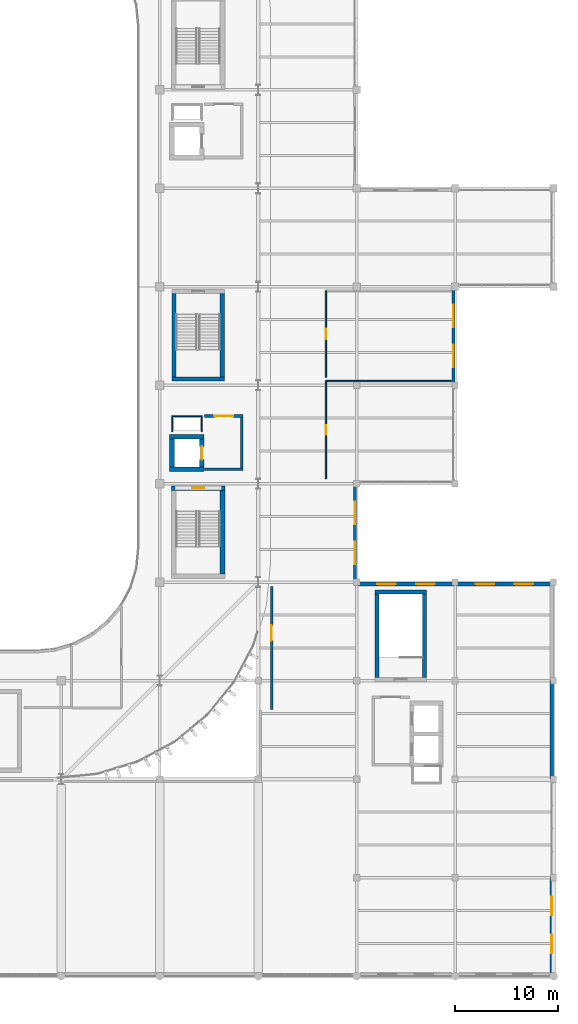
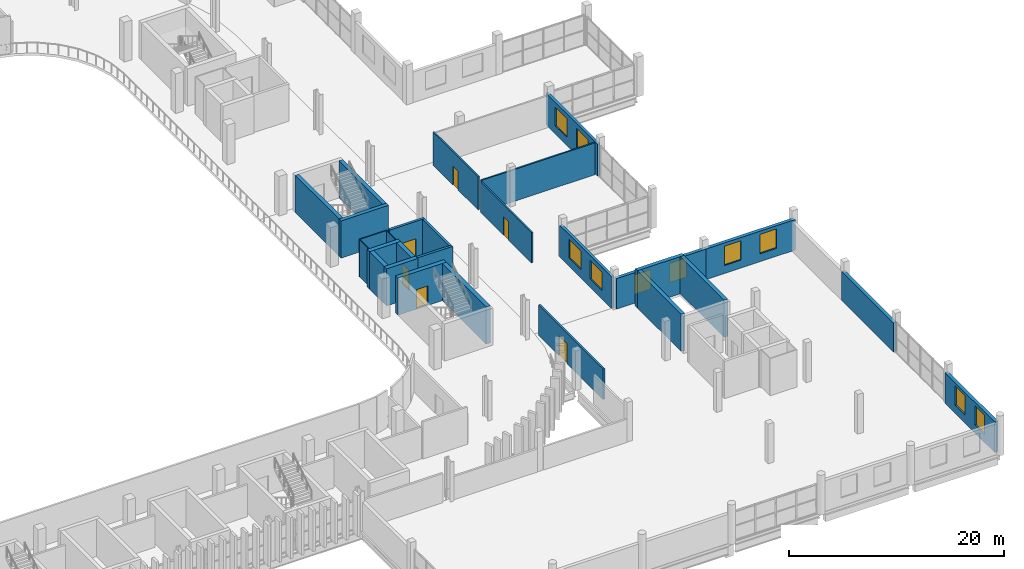
# One storey, part 61 of 92: 28 walls, 10 windows, 6 doors, 16 openings.
"""IFC4 building model written with IfcOpenShell, lengths in metres."""

from ifc_helpers import new_model, si_unit, direction, frame, frame_2d, origin, place, context, subcontext, project, spatial, rectangle, extrude, material, layer, layer_set, type_object, element, fill, save


model = new_model("IFC4")

# Units and contexts
model_context = context("Model", 3, precision=1e-05, world=origin(), true_north=direction((0.0, 1.0)))
body_context = subcontext(model_context, "Body", "Model", "MODEL_VIEW")
ifc_project = project(units=[si_unit("LENGTHUNIT", "METRE"), si_unit("AREAUNIT", "SQUARE_METRE"), si_unit("VOLUMEUNIT", "CUBIC_METRE"), si_unit("PLANEANGLEUNIT", "RADIAN"), si_unit("MASSUNIT", "GRAM", prefix="KILO")], contexts=[model_context])

# Site, building, storey
site_placement = place(None, origin())
site = spatial("IfcSite", under=ifc_project, at=site_placement, CompositionType="ELEMENT")
building_placement = place(site_placement, origin())
building = spatial("IfcBuilding", under=site, at=building_placement, Name="Caelomonte Colonnade Arena", CompositionType="ELEMENT")
storey_placement = place(building_placement, frame((0.0, 0.0, 9.60009765625)))
storey = spatial("IfcBuildingStorey", under=building, at=storey_placement, Name="L02", CompositionType="ELEMENT", Elevation=9.60009765625)

# Wall, openings, windows
ifc_material_1 = material(Name="Precast concrete C40/50", Category="concrete")
ifc_layer_1 = layer(ifc_material_1, 0.2900390625)
ifc_layer_set_1 = layer_set([ifc_layer_1], Name="Precast concrete C40/50")
wall_type_1 = type_object("IfcWallType", Name="ENV-WL-EXT29", PredefinedType="SOLIDWALL", material=ifc_layer_set_1)
wall_1_placement = place(storey_placement, frame((172.6201171875, 38.39990234375, 0.0), z_axis=(0.0, 0.0, 1.0), x_axis=(0.0, 1.0, 0.0)))
wall_1 = element("IfcWall", 1, at=wall_1_placement, inside=storey, type_object=wall_type_1, Name="L02 exterior wall EW-L02-0250", PredefinedType="SOLIDWALL", context=body_context, shape_type="SweptSolid", body=[
    extrude(rectangle(XDim=9.60009765625, YDim=0.2900390625, at=frame_2d((4.800048828125, 0.0))), origin(), (0.0, 0.0, 1.0), 3.61279296875),
])
opening_1_placement = place(wall_1_placement, frame((3.933349609375, 0.0, 0.949951171875), z_axis=(0.0, 0.0, 1.0), x_axis=(-1.0, 0.0, 0.0)))
opening_1 = element("IfcOpeningElement", 2, at=opening_1_placement, cuts=wall_1, Name="Opening WN-05", PredefinedType="OPENING", context=body_context, shape_type="SweptSolid", body=[
    extrude(rectangle(XDim=2.199951171875, YDim=2.10009765625, at=frame_2d((1.10009765625, 1.050048828125))), frame((0.0, 0.155029296875, 0.0), z_axis=(0.0, -1.0, 0.0), x_axis=(1.0, 0.0, 0.0)), (0.0, 0.0, 1.0), 0.31005859375),
])
opening_2_placement = place(wall_1_placement, frame((7.86669921875, 0.0, 0.949951171875), z_axis=(0.0, 0.0, 1.0), x_axis=(-1.0, 0.0, 0.0)))
opening_2 = element("IfcOpeningElement", 3, at=opening_2_placement, cuts=wall_1, Name="Opening WN-05", PredefinedType="OPENING", context=body_context, shape_type="SweptSolid", body=[
    extrude(rectangle(XDim=2.199951171875, YDim=2.10009765625, at=frame_2d((1.10009765625, 1.050048828125))), frame((0.0, 0.155029296875, 0.0), z_axis=(0.0, -1.0, 0.0), x_axis=(1.0, 0.0, 0.0)), (0.0, 0.0, 1.0), 0.31005859375),
])
ifc_material_2 = material(Name="Solar-control bronze low-E double glazing", Category="glass")
window_type_1 = type_object("IfcWindowType", Name="ENV-WN-V4B", PartitioningType="DOUBLE_PANEL_VERTICAL", PredefinedType="WINDOW", material=ifc_material_2)
window_1_placement = place(opening_1_placement, origin())
window_1 = element("IfcWindow", 4, at=window_1_placement, inside=storey, type_object=window_type_1, Name="L02 facade window 166", OverallHeight=2.10009765625, OverallWidth=2.199951171875, PartitioningType="SINGLE_PANEL", PredefinedType="WINDOW", context=body_context, shape_type="SweptSolid", body=[
    extrude(rectangle(XDim=2.199951171875, YDim=2.10009765625, at=frame_2d((1.10009765625, 1.050048828125))), frame((0.0, 0.030029296875, 0.0), z_axis=(0.0, -1.0, 0.0), x_axis=(1.0, 0.0, 0.0)), (0.0, 0.0, 1.0), 0.06005859375),
])
fill(opening_1, window_1)
window_2_placement = place(opening_2_placement, origin())
window_2 = element("IfcWindow", 5, at=window_2_placement, inside=storey, type_object=window_type_1, Name="L02 facade window 167", OverallHeight=2.10009765625, OverallWidth=2.199951171875, PartitioningType="SINGLE_PANEL", PredefinedType="WINDOW", context=body_context, shape_type="SweptSolid", body=[
    extrude(rectangle(XDim=2.199951171875, YDim=2.10009765625, at=frame_2d((1.10009765625, 1.050048828125))), frame((0.0, 0.030029296875, 0.0), z_axis=(0.0, -1.0, 0.0), x_axis=(1.0, 0.0, 0.0)), (0.0, 0.0, 1.0), 0.06005859375),
])
fill(opening_2, window_2)

wall_2_placement = place(storey_placement, frame((182.219970703125, 57.60009765625, 0.0), z_axis=(0.0, 0.0, 1.0), x_axis=(0.0, 1.0, 0.0)))
wall_2 = element("IfcWall", 6, at=wall_2_placement, inside=storey, type_object=wall_type_1, Name="L02 exterior wall EW-L02-0251", PredefinedType="SOLIDWALL", context=body_context, shape_type="SweptSolid", body=[
    extrude(rectangle(XDim=9.599853515625, YDim=0.2900390625, at=frame_2d((4.7998046875, 0.0))), origin(), (0.0, 0.0, 1.0), 3.61279296875),
])
opening_3_placement = place(wall_2_placement, frame((3.933349609375, 0.0, 0.949951171875), z_axis=(0.0, 0.0, 1.0), x_axis=(-1.0, 0.0, 0.0)))
opening_3 = element("IfcOpeningElement", 7, at=opening_3_placement, cuts=wall_2, Name="Opening WN-05", PredefinedType="OPENING", context=body_context, shape_type="SweptSolid", body=[
    extrude(rectangle(XDim=2.199951171875, YDim=2.10009765625, at=frame_2d((1.10009765625, 1.050048828125))), frame((0.0, 0.155029296875, 0.0), z_axis=(0.0, -1.0, 0.0), x_axis=(1.0, 0.0, 0.0)), (0.0, 0.0, 1.0), 0.31005859375),
])
opening_4_placement = place(wall_2_placement, frame((7.86669921875, 0.0, 0.949951171875), z_axis=(0.0, 0.0, 1.0), x_axis=(-1.0, 0.0, 0.0)))
opening_4 = element("IfcOpeningElement", 8, at=opening_4_placement, cuts=wall_2, Name="Opening WN-05", PredefinedType="OPENING", context=body_context, shape_type="SweptSolid", body=[
    extrude(rectangle(XDim=2.199951171875, YDim=2.10009765625, at=frame_2d((1.10009765625, 1.050048828125))), frame((0.0, 0.155029296875, 0.0), z_axis=(0.0, -1.0, 0.0), x_axis=(1.0, 0.0, 0.0)), (0.0, 0.0, 1.0), 0.31005859375),
])
window_3_placement = place(opening_3_placement, origin())
window_3 = element("IfcWindow", 9, at=window_3_placement, inside=storey, type_object=window_type_1, Name="L02 facade window 168", OverallHeight=2.10009765625, OverallWidth=2.199951171875, PartitioningType="SINGLE_PANEL", PredefinedType="WINDOW", context=body_context, shape_type="SweptSolid", body=[
    extrude(rectangle(XDim=2.199951171875, YDim=2.10009765625, at=frame_2d((1.10009765625, 1.050048828125))), frame((0.0, 0.030029296875, 0.0), z_axis=(0.0, -1.0, 0.0), x_axis=(1.0, 0.0, 0.0)), (0.0, 0.0, 1.0), 0.06005859375),
])
fill(opening_3, window_3)
window_4_placement = place(opening_4_placement, origin())
window_4 = element("IfcWindow", 10, at=window_4_placement, inside=storey, type_object=window_type_1, Name="L02 facade window 169", OverallHeight=2.10009765625, OverallWidth=2.199951171875, PartitioningType="SINGLE_PANEL", PredefinedType="WINDOW", context=body_context, shape_type="SweptSolid", body=[
    extrude(rectangle(XDim=2.199951171875, YDim=2.10009765625, at=frame_2d((1.10009765625, 1.050048828125))), frame((0.0, 0.030029296875, 0.0), z_axis=(0.0, -1.0, 0.0), x_axis=(1.0, 0.0, 0.0)), (0.0, 0.0, 1.0), 0.06005859375),
])
fill(opening_4, window_4)

ifc_layer_2 = layer(ifc_material_1, 0.360107421875)
ifc_layer_set_2 = layer_set([ifc_layer_2], Name="Precast concrete C40/50")
wall_type_2 = type_object("IfcWallType", Name="ENV-WL-EXT36", PredefinedType="SOLIDWALL", material=ifc_layer_set_2)
wall_3_placement = place(storey_placement, frame((191.820068359375, 0.35498046875, 0.0), z_axis=(0.0, 0.0, 1.0), x_axis=(0.0, 1.0, 0.0)))
wall_3 = element("IfcWall", 11, at=wall_3_placement, inside=storey, type_object=wall_type_2, Name="L02 exterior wall EW-L02-0245", PredefinedType="SOLIDWALL", context=body_context, shape_type="SweptSolid", body=[
    extrude(rectangle(XDim=9.2451171875, YDim=0.360107421875, at=frame_2d((4.62255859375, 0.0))), origin(), (0.0, 0.0, 1.0), 3.469970703125),
])
opening_5_placement = place(wall_3_placement, frame((3.681640625, 0.0, 0.89990234375), z_axis=(0.0, 0.0, 1.0), x_axis=(-1.0, 0.0, 0.0)))
opening_5 = element("IfcOpeningElement", 12, at=opening_5_placement, cuts=wall_3, Name="Opening WN-03", PredefinedType="OPENING", context=body_context, shape_type="SweptSolid", body=[
    extrude(rectangle(XDim=1.800048828125, YDim=2.199951171875, at=frame_2d((0.89990234375, 1.10009765625))), frame((0.0, 0.18994140625, 0.0), z_axis=(0.0, -1.0, 0.0), x_axis=(1.0, 0.0, 0.0)), (0.0, 0.0, 1.0), 0.380126953125),
])
opening_6_placement = place(wall_3_placement, frame((7.36328125, 0.0, 0.89990234375), z_axis=(0.0, 0.0, 1.0), x_axis=(-1.0, 0.0, 0.0)))
opening_6 = element("IfcOpeningElement", 13, at=opening_6_placement, cuts=wall_3, Name="Opening WN-03", PredefinedType="OPENING", context=body_context, shape_type="SweptSolid", body=[
    extrude(rectangle(XDim=1.800048828125, YDim=2.199951171875, at=frame_2d((0.89990234375, 1.10009765625))), frame((0.0, 0.18994140625, 0.0), z_axis=(0.0, -1.0, 0.0), x_axis=(1.0, 0.0, 0.0)), (0.0, 0.0, 1.0), 0.380126953125),
])
window_type_2 = type_object("IfcWindowType", Name="ENV-WN-V3C", PartitioningType="DOUBLE_PANEL_VERTICAL", PredefinedType="WINDOW", material=ifc_material_2)
window_5_placement = place(opening_5_placement, origin())
window_5 = element("IfcWindow", 14, at=window_5_placement, inside=storey, type_object=window_type_2, Name="L02 facade window 160", OverallHeight=2.199951171875, OverallWidth=1.800048828125, PartitioningType="SINGLE_PANEL", PredefinedType="WINDOW", context=body_context, shape_type="SweptSolid", body=[
    extrude(rectangle(XDim=1.800048828125, YDim=2.199951171875, at=frame_2d((0.89990234375, 1.10009765625))), frame((0.0, 0.030029296875, 0.0), z_axis=(0.0, -1.0, 0.0), x_axis=(1.0, 0.0, 0.0)), (0.0, 0.0, 1.0), 0.06005859375),
])
fill(opening_5, window_5)
window_6_placement = place(opening_6_placement, origin())
window_6 = element("IfcWindow", 15, at=window_6_placement, inside=storey, type_object=window_type_2, Name="L02 facade window 161", OverallHeight=2.199951171875, OverallWidth=1.800048828125, PartitioningType="SINGLE_PANEL", PredefinedType="WINDOW", context=body_context, shape_type="SweptSolid", body=[
    extrude(rectangle(XDim=1.800048828125, YDim=2.199951171875, at=frame_2d((0.89990234375, 1.10009765625))), frame((0.0, 0.030029296875, 0.0), z_axis=(0.0, -1.0, 0.0), x_axis=(1.0, 0.0, 0.0)), (0.0, 0.0, 1.0), 0.06005859375),
])
fill(opening_6, window_6)

# Wall
wall_4_placement = place(storey_placement, frame((191.820068359375, 19.199951171875, 0.0), z_axis=(0.0, 0.0, 1.0), x_axis=(0.0, 1.0, 0.0)))
element("IfcWall", 16, at=wall_4_placement, inside=storey, type_object=wall_type_2, Name="L02 exterior wall EW-L02-0246", PredefinedType="SOLIDWALL", context=body_context, shape_type="SweptSolid", body=[
    extrude(rectangle(XDim=9.60009765625, YDim=0.360107421875, at=frame_2d((4.800048828125, 0.0))), origin(), (0.0, 0.0, 1.0), 3.29296875),
])

# Wall, openings, windows
wall_5_placement = place(storey_placement, frame((192.0, 38.219970703125, 0.0), z_axis=(0.0, 0.0, 1.0), x_axis=(-1.0, 0.0, 0.0)))
wall_5 = element("IfcWall", 17, at=wall_5_placement, inside=storey, type_object=wall_type_2, Name="L02 exterior wall EW-L02-0248", PredefinedType="SOLIDWALL", context=body_context, shape_type="SweptSolid", body=[
    extrude(rectangle(XDim=9.60009765625, YDim=0.360107421875, at=frame_2d((4.800048828125, 0.0))), origin(), (0.0, 0.0, 1.0), 3.465576171875),
])
opening_7_placement = place(wall_5_placement, frame((3.800048828125, 0.0, 0.89990234375), z_axis=(0.0, 0.0, 1.0), x_axis=(-1.0, 0.0, 0.0)))
opening_7 = element("IfcOpeningElement", 18, at=opening_7_placement, cuts=wall_5, Name="Opening WN-03", PredefinedType="OPENING", context=body_context, shape_type="SweptSolid", body=[
    extrude(rectangle(XDim=1.800048828125, YDim=2.199951171875, at=frame_2d((0.89990234375, 1.10009765625))), frame((0.0, 0.18994140625, 0.0), z_axis=(0.0, -1.0, 0.0), x_axis=(1.0, 0.0, 0.0)), (0.0, 0.0, 1.0), 0.380126953125),
])
opening_8_placement = place(wall_5_placement, frame((7.60009765625, 0.0, 0.89990234375), z_axis=(0.0, 0.0, 1.0), x_axis=(-1.0, 0.0, 0.0)))
opening_8 = element("IfcOpeningElement", 19, at=opening_8_placement, cuts=wall_5, Name="Opening WN-03", PredefinedType="OPENING", context=body_context, shape_type="SweptSolid", body=[
    extrude(rectangle(XDim=1.800048828125, YDim=2.199951171875, at=frame_2d((0.89990234375, 1.10009765625))), frame((0.0, 0.18994140625, 0.0), z_axis=(0.0, -1.0, 0.0), x_axis=(1.0, 0.0, 0.0)), (0.0, 0.0, 1.0), 0.380126953125),
])
window_7_placement = place(opening_7_placement, origin())
window_7 = element("IfcWindow", 20, at=window_7_placement, inside=storey, type_object=window_type_2, Name="L02 facade window 162", OverallHeight=2.199951171875, OverallWidth=1.800048828125, PartitioningType="SINGLE_PANEL", PredefinedType="WINDOW", context=body_context, shape_type="SweptSolid", body=[
    extrude(rectangle(XDim=1.800048828125, YDim=2.199951171875, at=frame_2d((0.89990234375, 1.10009765625))), frame((0.0, 0.030029296875, 0.0), z_axis=(0.0, -1.0, 0.0), x_axis=(1.0, 0.0, 0.0)), (0.0, 0.0, 1.0), 0.06005859375),
])
fill(opening_7, window_7)
window_8_placement = place(opening_8_placement, origin())
window_8 = element("IfcWindow", 21, at=window_8_placement, inside=storey, type_object=window_type_2, Name="L02 facade window 163", OverallHeight=2.199951171875, OverallWidth=1.800048828125, PartitioningType="SINGLE_PANEL", PredefinedType="WINDOW", context=body_context, shape_type="SweptSolid", body=[
    extrude(rectangle(XDim=1.800048828125, YDim=2.199951171875, at=frame_2d((0.89990234375, 1.10009765625))), frame((0.0, 0.030029296875, 0.0), z_axis=(0.0, -1.0, 0.0), x_axis=(1.0, 0.0, 0.0)), (0.0, 0.0, 1.0), 0.06005859375),
])
fill(opening_8, window_8)

wall_6_placement = place(storey_placement, frame((182.39990234375, 38.219970703125, 0.0), z_axis=(0.0, 0.0, 1.0), x_axis=(-1.0, 0.0, 0.0)))
wall_6 = element("IfcWall", 22, at=wall_6_placement, inside=storey, type_object=wall_type_2, Name="L02 exterior wall EW-L02-0249", PredefinedType="SOLIDWALL", context=body_context, shape_type="SweptSolid", body=[
    extrude(rectangle(XDim=9.599853515625, YDim=0.360107421875, at=frame_2d((4.7998046875, 0.0))), origin(), (0.0, 0.0, 1.0), 3.465576171875),
])
opening_9_placement = place(wall_6_placement, frame((3.800048828125, 0.0, 0.89990234375), z_axis=(0.0, 0.0, 1.0), x_axis=(-1.0, 0.0, 0.0)))
opening_9 = element("IfcOpeningElement", 23, at=opening_9_placement, cuts=wall_6, Name="Opening WN-03", PredefinedType="OPENING", context=body_context, shape_type="SweptSolid", body=[
    extrude(rectangle(XDim=1.800048828125, YDim=2.199951171875, at=frame_2d((0.89990234375, 1.10009765625))), frame((0.0, 0.18994140625, 0.0), z_axis=(0.0, -1.0, 0.0), x_axis=(1.0, 0.0, 0.0)), (0.0, 0.0, 1.0), 0.380126953125),
])
opening_10_placement = place(wall_6_placement, frame((7.60009765625, 0.0, 0.89990234375), z_axis=(0.0, 0.0, 1.0), x_axis=(-1.0, 0.0, 0.0)))
opening_10 = element("IfcOpeningElement", 24, at=opening_10_placement, cuts=wall_6, Name="Opening WN-03", PredefinedType="OPENING", context=body_context, shape_type="SweptSolid", body=[
    extrude(rectangle(XDim=1.800048828125, YDim=2.199951171875, at=frame_2d((0.89990234375, 1.10009765625))), frame((0.0, 0.18994140625, 0.0), z_axis=(0.0, -1.0, 0.0), x_axis=(1.0, 0.0, 0.0)), (0.0, 0.0, 1.0), 0.380126953125),
])
window_9_placement = place(opening_9_placement, origin())
window_9 = element("IfcWindow", 25, at=window_9_placement, inside=storey, type_object=window_type_2, Name="L02 facade window 164", OverallHeight=2.199951171875, OverallWidth=1.800048828125, PartitioningType="SINGLE_PANEL", PredefinedType="WINDOW", context=body_context, shape_type="SweptSolid", body=[
    extrude(rectangle(XDim=1.800048828125, YDim=2.199951171875, at=frame_2d((0.89990234375, 1.10009765625))), frame((0.0, 0.030029296875, 0.0), z_axis=(0.0, -1.0, 0.0), x_axis=(1.0, 0.0, 0.0)), (0.0, 0.0, 1.0), 0.06005859375),
])
fill(opening_9, window_9)
window_10_placement = place(opening_10_placement, origin())
window_10 = element("IfcWindow", 26, at=window_10_placement, inside=storey, type_object=window_type_2, Name="L02 facade window 165", OverallHeight=2.199951171875, OverallWidth=1.800048828125, PartitioningType="SINGLE_PANEL", PredefinedType="WINDOW", context=body_context, shape_type="SweptSolid", body=[
    extrude(rectangle(XDim=1.800048828125, YDim=2.199951171875, at=frame_2d((0.89990234375, 1.10009765625))), frame((0.0, 0.030029296875, 0.0), z_axis=(0.0, -1.0, 0.0), x_axis=(1.0, 0.0, 0.0)), (0.0, 0.0, 1.0), 0.06005859375),
])
fill(opening_10, window_10)

# Wall
ifc_material_3 = material(Name="Concrete C40/50", Category="concrete")
ifc_layer_3 = layer(ifc_material_3, 0.260009765625)
ifc_layer_set_3 = layer_set([ifc_layer_3], Name="Concrete C40/50")
wall_type_3 = type_object("IfcWallType", Name="INT-WL-FW26", PredefinedType="SOLIDWALL", material=ifc_layer_set_3)
wall_7_placement = place(storey_placement, frame((157.969970703125, 49.39990234375, 0.0), z_axis=(0.0, 0.0, 1.0), x_axis=(1.0, 0.0, 0.0)))
element("IfcWall", 27, at=wall_7_placement, inside=storey, type_object=wall_type_3, Name="FW-C2-LB L02 south enclosure wall", PredefinedType="SOLIDWALL", context=body_context, shape_type="SweptSolid", body=[
    extrude(rectangle(XDim=3.760009765625, YDim=0.260009765625, at=frame_2d((1.8798828125, 0.0))), origin(), (0.0, 0.0, 1.0), 4.219970703125),
])

# Wall, opening, door
wall_8_placement = place(storey_placement, frame((161.72998046875, 54.60009765625, 0.0), z_axis=(0.0, 0.0, 1.0), x_axis=(-1.0, 0.0, 0.0)))
wall_8 = element("IfcWall", 28, at=wall_8_placement, inside=storey, type_object=wall_type_3, Name="FW-C2-LB L02 north enclosure wall", PredefinedType="SOLIDWALL", context=body_context, shape_type="SweptSolid", body=[
    extrude(rectangle(XDim=3.760009765625, YDim=0.260009765625, at=frame_2d((1.8798828125, 0.0))), origin(), (0.0, 0.0, 1.0), 4.219970703125),
])
opening_11_placement = place(wall_8_placement, frame((2.80517578125, 0.0, 0.0), z_axis=(0.0, 0.0, 1.0), x_axis=(-1.0, 0.0, 0.0)))
opening_11 = element("IfcOpeningElement", 29, at=opening_11_placement, cuts=wall_8, Name="Opening FD-2", PredefinedType="OPENING", context=body_context, shape_type="SweptSolid", body=[
    extrude(rectangle(XDim=1.85009765625, YDim=2.25, at=frame_2d((0.925048828125, 1.125))), frame((0.0, 0.139892578125, 0.0), z_axis=(0.0, -1.0, 0.0), x_axis=(1.0, 0.0, 0.0)), (0.0, 0.0, 1.0), 0.280029296875),
])
ifc_material_4 = material(Name="Fire-rated double steel door", Category="steel")
door_type_1 = type_object("IfcDoorType", Name="INT-DR-FD90B", OperationType="DOUBLE_DOOR_SINGLE_SWING", PredefinedType="DOOR", material=ifc_material_4)
door_1_placement = place(opening_11_placement, origin())
door_1 = element("IfcDoor", 30, at=door_1_placement, inside=storey, type_object=door_type_1, Name="Core C2 L02 lobby fire door", OperationType="DOUBLE_DOOR_SINGLE_SWING", OverallHeight=2.25, OverallWidth=1.85009765625, PredefinedType="DOOR", context=body_context, shape_type="SweptSolid", body=[
    extrude(rectangle(XDim=1.85009765625, YDim=2.25, at=frame_2d((0.925048828125, 1.125))), frame((0.0, 0.02490234375, 0.0), z_axis=(0.0, -1.0, 0.0), x_axis=(1.0, 0.0, 0.0)), (0.0, 0.0, 1.0), 0.050048828125),
])
fill(opening_11, door_1)

# Walls
wall_9_placement = place(storey_placement, frame((161.60009765625, 49.530029296875, 0.0), z_axis=(0.0, 0.0, 1.0), x_axis=(0.0, 1.0, 0.0)))
element("IfcWall", 31, at=wall_9_placement, inside=storey, type_object=wall_type_3, Name="FW-C2-LB L02 east enclosure wall", PredefinedType="SOLIDWALL", context=body_context, shape_type="SweptSolid", body=[
    extrude(rectangle(XDim=4.93994140625, YDim=0.260009765625, at=frame_2d((2.469970703125, 0.0))), origin(), (0.0, 0.0, 1.0), 4.219970703125),
])
ifc_material_5 = material(Name="Service shaft lining partition")
ifc_layer_4 = layer(ifc_material_5, 0.10009765625)
ifc_layer_set_4 = layer_set([ifc_layer_4], Name="Service shaft lining partition")
wall_type_4 = type_object("IfcWallType", Name="INT-WL-PT10", PredefinedType="PARTITIONING", material=ifc_layer_set_4)
wall_10_placement = place(storey_placement, frame((157.75, 54.60009765625, 0.0), z_axis=(0.0, 0.0, 1.0), x_axis=(-1.0, 0.0, 0.0)))
element("IfcWall", 32, at=wall_10_placement, inside=storey, type_object=wall_type_4, Name="FW-C2-RS L02 north enclosure wall", PredefinedType="PARTITIONING", context=body_context, shape_type="SweptSolid", body=[
    extrude(rectangle(XDim=3.0, YDim=0.10009765625, at=frame_2d((1.5, 0.0))), origin(), (0.0, 0.0, 1.0), 4.219970703125),
])
for number, where, z_axis, x_axis, name in (
    (33, (154.800048828125, 54.550048828125, 0.0), (0.0, 0.0, 1.0), (0.0, -1.0, 0.0), "FW-C2-RS L02 west enclosure wall"),
    (34, (157.699951171875, 53.050048828125, 0.0), (0.0, 0.0, 1.0), (0.0, 1.0, 0.0), "FW-C2-RS L02 east enclosure wall"),
):
    element("IfcWall", number, at=place(storey_placement, frame(where, z_axis=z_axis, x_axis=x_axis)), inside=storey, type_object=wall_type_4, Name=name, PredefinedType="PARTITIONING", context=body_context, shape_type="SweptSolid", body=[
        extrude(rectangle(XDim=1.5, YDim=0.10009765625, at=frame_2d((0.75, 0.0))), origin(), (0.0, 0.0, 1.0), 4.219970703125),
    ])
ifc_material_6 = material(Name="Moisture-resistant WC partition")
ifc_layer_5 = layer(ifc_material_6, 0.159912109375)
ifc_layer_set_5 = layer_set([ifc_layer_5], Name="Moisture-resistant WC partition")
wall_type_5 = type_object("IfcWallType", Name="INT-WL-PT16", PredefinedType="PARTITIONING", material=ifc_layer_set_5)
wall_11_placement = place(storey_placement, frame((169.800048828125, 58.0, 0.0), z_axis=(0.0, 0.0, 1.0), x_axis=(1.0, 0.0, 0.0)))
element("IfcWall", 35, at=wall_11_placement, inside=storey, type_object=wall_type_5, Name="L02 Club Level Restroom partition 192", PredefinedType="PARTITIONING", context=body_context, shape_type="SweptSolid", body=[
    extrude(rectangle(XDim=12.199951171875, YDim=0.159912109375, at=frame_2d((6.10009765625, 0.0))), origin(), (0.0, 0.0, 1.0), 3.61279296875),
])

# Wall, opening, door
wall_12_placement = place(storey_placement, frame((169.800048828125, 48.5, 0.0), z_axis=(0.0, 0.0, 1.0), x_axis=(0.0, 1.0, 0.0)))
wall_12 = element("IfcWall", 36, at=wall_12_placement, inside=storey, type_object=wall_type_5, Name="L02 Club Level Restroom partition 193", PredefinedType="PARTITIONING", context=body_context, shape_type="SweptSolid", body=[
    extrude(rectangle(XDim=9.5, YDim=0.159912109375, at=frame_2d((4.75, 0.0))), origin(), (0.0, 0.0, 1.0), 3.465576171875),
])
opening_12_placement = place(wall_12_placement, frame((4.2900390625, 0.0, 0.0), z_axis=(0.0, 0.0, 1.0), x_axis=(1.0, 0.0, 0.0)))
opening_12 = element("IfcOpeningElement", 37, at=opening_12_placement, cuts=wall_12, Name="Opening D-L02-056", PredefinedType="OPENING", context=body_context, shape_type="SweptSolid", body=[
    extrude(rectangle(XDim=0.919921875, YDim=2.1201171875, at=frame_2d((0.4599609375, 1.06005859375))), frame((0.0, 0.08984375, 0.0), z_axis=(0.0, -1.0, 0.0), x_axis=(1.0, 0.0, 0.0)), (0.0, 0.0, 1.0), 0.179931640625),
])
ifc_material_7 = material(Name="Laminate restroom entrance door")
door_type_2 = type_object("IfcDoorType", Name="INT-DR-WC1", OperationType="NOTDEFINED", PredefinedType="DOOR", material=ifc_material_7)
door_2_placement = place(opening_12_placement, origin())
door_2 = element("IfcDoor", 38, at=door_2_placement, inside=storey, type_object=door_type_2, Name="L02 Club Level Restroom door D-L02-056", OperationType="SINGLE_SWING_LEFT", OverallHeight=2.1201171875, OverallWidth=0.919921875, PredefinedType="DOOR", context=body_context, shape_type="SweptSolid", body=[
    extrude(rectangle(XDim=0.919921875, YDim=2.1201171875, at=frame_2d((0.4599609375, 1.06005859375))), frame((0.0, 0.02490234375, 0.0), z_axis=(0.0, -1.0, 0.0), x_axis=(1.0, 0.0, 0.0)), (0.0, 0.0, 1.0), 0.050048828125),
])
fill(opening_12, door_2)

wall_13_placement = place(storey_placement, frame((169.800048828125, 58.39990234375, 0.0), z_axis=(0.0, 0.0, 1.0), x_axis=(0.0, 1.0, 0.0)))
wall_13 = element("IfcWall", 39, at=wall_13_placement, inside=storey, type_object=wall_type_5, Name="L02 Club Level Accessible WC partition 195", PredefinedType="PARTITIONING", context=body_context, shape_type="SweptSolid", body=[
    extrude(rectangle(XDim=8.400146484375, YDim=0.159912109375, at=frame_2d((4.2001953125, 0.0))), origin(), (0.0, 0.0, 1.0), 3.765380859375),
])
opening_13_placement = place(wall_13_placement, frame((3.68994140625, 0.0, 0.0), z_axis=(0.0, 0.0, 1.0), x_axis=(1.0, 0.0, 0.0)))
opening_13 = element("IfcOpeningElement", 40, at=opening_13_placement, cuts=wall_13, Name="Opening D-L02-057", PredefinedType="OPENING", context=body_context, shape_type="SweptSolid", body=[
    extrude(rectangle(XDim=1.02001953125, YDim=2.14990234375, at=frame_2d((0.510009765625, 1.074951171875))), frame((0.0, 0.08984375, 0.0), z_axis=(0.0, -1.0, 0.0), x_axis=(1.0, 0.0, 0.0)), (0.0, 0.0, 1.0), 0.179931640625),
])
ifc_material_8 = material(Name="Accessible WC outward-swing door")
door_type_3 = type_object("IfcDoorType", Name="INT-DR-AWC", OperationType="NOTDEFINED", PredefinedType="DOOR", material=ifc_material_8)
door_3_placement = place(opening_13_placement, origin())
door_3 = element("IfcDoor", 41, at=door_3_placement, inside=storey, type_object=door_type_3, Name="L02 Club Level Accessible WC door D-L02-057", OperationType="SINGLE_SWING_RIGHT", OverallHeight=2.14990234375, OverallWidth=1.02001953125, PredefinedType="DOOR", context=body_context, shape_type="SweptSolid", body=[
    extrude(rectangle(XDim=1.02001953125, YDim=2.14990234375, at=frame_2d((0.510009765625, 1.074951171875))), frame((0.0, 0.02490234375, 0.0), z_axis=(0.0, -1.0, 0.0), x_axis=(1.0, 0.0, 0.0)), (0.0, 0.0, 1.0), 0.050048828125),
])
fill(opening_13, door_3)

ifc_material_9 = material(Name="Fire-rated gypsum stud partition")
ifc_layer_6 = layer(ifc_material_9, 0.199951171875)
ifc_layer_set_6 = layer_set([ifc_layer_6], Name="Fire-rated gypsum stud partition")
wall_type_6 = type_object("IfcWallType", Name="INT-WL-PT20", PredefinedType="PARTITIONING", material=ifc_layer_set_6)
wall_14_placement = place(storey_placement, frame((164.52001953125, 26.0, 0.0), z_axis=(0.0, 0.0, 1.0), x_axis=(0.0, 1.0, 0.0)))
wall_14 = element("IfcWall", 42, at=wall_14_placement, inside=storey, type_object=wall_type_6, Name="L02 Exhibition Hall partition 178", PredefinedType="PARTITIONING", context=body_context, shape_type="SweptSolid", body=[
    extrude(rectangle(XDim=12.0, YDim=0.199951171875, at=frame_2d((6.0, 0.0))), origin(), (0.0, 0.0, 1.0), 3.465576171875),
])
opening_14_placement = place(wall_14_placement, frame((6.703369140625, 0.0, 0.0), z_axis=(0.0, 0.0, 1.0), x_axis=(1.0, 0.0, 0.0)))
opening_14 = element("IfcOpeningElement", 43, at=opening_14_placement, cuts=wall_14, Name="Opening D-L02-051", PredefinedType="OPENING", context=body_context, shape_type="SweptSolid", body=[
    extrude(rectangle(XDim=1.5, YDim=2.25, at=frame_2d((0.75, 1.125))), frame((0.0, 0.10986328125, 0.0), z_axis=(0.0, -1.0, 0.0), x_axis=(1.0, 0.0, 0.0)), (0.0, 0.0, 1.0), 0.219970703125),
])
ifc_material_10 = material(Name="Hardwood double club lounge door", Category="wood")
door_type_4 = type_object("IfcDoorType", Name="INT-DR-SU2", OperationType="DOUBLE_DOOR_SINGLE_SWING", PredefinedType="DOOR", material=ifc_material_10)
door_4_placement = place(opening_14_placement, origin())
door_4 = element("IfcDoor", 44, at=door_4_placement, inside=storey, type_object=door_type_4, Name="L02 Exhibition Hall door D-L02-051", OperationType="DOUBLE_DOOR_SINGLE_SWING", OverallHeight=2.25, OverallWidth=1.5, PredefinedType="DOOR", context=body_context, shape_type="SweptSolid", body=[
    extrude(rectangle(XDim=1.5, YDim=2.25, at=frame_2d((0.75, 1.125))), frame((0.0, 0.02490234375, 0.0), z_axis=(0.0, -1.0, 0.0), x_axis=(1.0, 0.0, 0.0)), (0.0, 0.0, 1.0), 0.050048828125),
])
fill(opening_14, door_4)

# Walls
ifc_material_11 = material(Name="Concrete C50/60", Category="concrete")
ifc_layer_7 = layer(ifc_material_11, 0.39990234375)
ifc_layer_set_7 = layer_set([ifc_layer_7], Name="Concrete C50/60")
wall_type_7 = type_object("IfcWallType", Name="INT-WL-SH40", PredefinedType="SHEAR", material=ifc_layer_set_7)
wall_15_placement = place(storey_placement, frame((179.60009765625, 37.449951171875, 0.0), z_axis=(0.0, 0.0, 1.0), x_axis=(-1.0, 0.0, 0.0)))
element("IfcWall", 45, at=wall_15_placement, inside=storey, type_object=wall_type_7, Name="CW-C5-ST L02 north enclosure wall", PredefinedType="SHEAR", context=body_context, shape_type="SweptSolid", body=[
    extrude(rectangle(XDim=5.0, YDim=0.39990234375, at=frame_2d((2.5, 0.0))), origin(), (0.0, 0.0, 1.0), 4.219970703125),
])
for number, where, z_axis, x_axis, name in (
    (46, (174.800048828125, 37.25, 0.0), (0.0, 0.0, 1.0), (0.0, -1.0, 0.0), "CW-C5-ST L02 west enclosure wall"),
    (47, (179.39990234375, 29.10009765625, 0.0), (0.0, 0.0, 1.0), (0.0, 1.0, 0.0), "CW-C5-ST L02 east enclosure wall"),
):
    element("IfcWall", number, at=place(storey_placement, frame(where, z_axis=z_axis, x_axis=x_axis)), inside=storey, type_object=wall_type_7, Name=name, PredefinedType="SHEAR", context=body_context, shape_type="SweptSolid", body=[
        extrude(rectangle(XDim=8.14990234375, YDim=0.39990234375, at=frame_2d((4.074951171875, 0.0))), origin(), (0.0, 0.0, 1.0), 4.219970703125),
    ])
wall_16_placement = place(storey_placement, frame((154.800048828125, 58.199951171875, 0.0), z_axis=(0.0, 0.0, 1.0), x_axis=(1.0, 0.0, 0.0)))
element("IfcWall", 48, at=wall_16_placement, inside=storey, type_object=wall_type_7, Name="CW-ST-10 L02 south enclosure wall", PredefinedType="SHEAR", context=body_context, shape_type="SweptSolid", body=[
    extrude(rectangle(XDim=5.099853515625, YDim=0.39990234375, at=frame_2d((2.5498046875, 0.0))), origin(), (0.0, 0.0, 1.0), 4.219970703125),
])
for number, where, z_axis, x_axis, name in (
    (49, (155.0, 66.550048828125, 0.0), (0.0, 0.0, 1.0), (0.0, -1.0, 0.0), "CW-ST-10 L02 west enclosure wall"),
    (50, (159.699951171875, 58.39990234375, 0.0), (0.0, 0.0, 1.0), (0.0, 1.0, 0.0), "CW-ST-10 L02 east enclosure wall"),
):
    element("IfcWall", number, at=place(storey_placement, frame(where, z_axis=z_axis, x_axis=x_axis)), inside=storey, type_object=wall_type_7, Name=name, PredefinedType="SHEAR", context=body_context, shape_type="SweptSolid", body=[
        extrude(rectangle(XDim=8.150146484375, YDim=0.39990234375, at=frame_2d((4.0751953125, 0.0))), origin(), (0.0, 0.0, 1.0), 4.219970703125),
    ])

# Wall, opening, door
ifc_layer_8 = layer(ifc_material_11, 0.449951171875)
ifc_layer_set_8 = layer_set([ifc_layer_8], Name="Concrete C50/60")
wall_type_8 = type_object("IfcWallType", Name="INT-WL-SH45", PredefinedType="SHEAR", material=ifc_layer_set_8)
wall_17_placement = place(storey_placement, frame((159.949951171875, 47.574951171875, 0.0), z_axis=(0.0, 0.0, 1.0), x_axis=(-1.0, 0.0, 0.0)))
wall_17 = element("IfcWall", 51, at=wall_17_placement, inside=storey, type_object=wall_type_8, Name="CW-C2-ST L02 north enclosure wall", PredefinedType="SHEAR", context=body_context, shape_type="SweptSolid", body=[
    extrude(rectangle(XDim=5.199951171875, YDim=0.449951171875, at=frame_2d((2.60009765625, 0.0))), origin(), (0.0, 0.0, 1.0), 4.219970703125),
])
opening_15_placement = place(wall_17_placement, frame((3.199951171875, 0.0, 0.0), z_axis=(0.0, 0.0, 1.0), x_axis=(-1.0, 0.0, 0.0)))
opening_15 = element("IfcOpeningElement", 52, at=opening_15_placement, cuts=wall_17, Name="Opening FD-1", PredefinedType="OPENING", context=body_context, shape_type="SweptSolid", body=[
    extrude(rectangle(XDim=1.199951171875, YDim=2.199951171875, at=frame_2d((0.60009765625, 1.10009765625))), frame((0.0, 0.23486328125, 0.0), z_axis=(0.0, -1.0, 0.0), x_axis=(1.0, 0.0, 0.0)), (0.0, 0.0, 1.0), 0.469970703125),
])
ifc_material_12 = material(Name="Fire-rated steel door", Category="steel")
door_type_5 = type_object("IfcDoorType", Name="INT-DR-FD90A", OperationType="NOTDEFINED", PredefinedType="DOOR", material=ifc_material_12)
door_5_placement = place(opening_15_placement, origin())
door_5 = element("IfcDoor", 53, at=door_5_placement, inside=storey, type_object=door_type_5, Name="Core C2 L02 exit stair fire door", OperationType="SINGLE_SWING_LEFT", OverallHeight=2.199951171875, OverallWidth=1.199951171875, PredefinedType="DOOR", context=body_context, shape_type="SweptSolid", body=[
    extrude(rectangle(XDim=1.199951171875, YDim=2.199951171875, at=frame_2d((0.60009765625, 1.10009765625))), frame((0.0, 0.02490234375, 0.0), z_axis=(0.0, -1.0, 0.0), x_axis=(1.0, 0.0, 0.0)), (0.0, 0.0, 1.0), 0.050048828125),
])
fill(opening_15, door_5)

# Walls
wall_18_placement = place(storey_placement, frame((159.72509765625, 39.199951171875, 0.0), z_axis=(0.0, 0.0, 1.0), x_axis=(0.0, 1.0, 0.0)))
element("IfcWall", 54, at=wall_18_placement, inside=storey, type_object=wall_type_8, Name="CW-C2-ST L02 east enclosure wall", PredefinedType="SHEAR", context=body_context, shape_type="SweptSolid", body=[
    extrude(rectangle(XDim=8.150146484375, YDim=0.449951171875, at=frame_2d((4.0751953125, 0.0))), origin(), (0.0, 0.0, 1.0), 4.219970703125),
])
for number, where, z_axis, x_axis, name in (
    (55, (154.574951171875, 49.39990234375, 0.0), (0.0, 0.0, 1.0), (1.0, 0.0, 0.0), "CW-C2-LF L02 south enclosure wall"),
    (56, (157.925048828125, 52.60009765625, 0.0), (0.0, 0.0, 1.0), (-1.0, 0.0, 0.0), "CW-C2-LF L02 north enclosure wall"),
):
    element("IfcWall", number, at=place(storey_placement, frame(where, z_axis=z_axis, x_axis=x_axis)), inside=storey, type_object=wall_type_8, Name=name, PredefinedType="SHEAR", context=body_context, shape_type="SweptSolid", body=[
        extrude(rectangle(XDim=3.35009765625, YDim=0.449951171875, at=frame_2d((1.675048828125, 0.0))), origin(), (0.0, 0.0, 1.0), 4.219970703125),
    ])
wall_19_placement = place(storey_placement, frame((154.800048828125, 52.375, 0.0), z_axis=(0.0, 0.0, 1.0), x_axis=(0.0, -1.0, 0.0)))
element("IfcWall", 57, at=wall_19_placement, inside=storey, type_object=wall_type_8, Name="CW-C2-LF L02 west enclosure wall", PredefinedType="SHEAR", context=body_context, shape_type="SweptSolid", body=[
    extrude(rectangle(XDim=2.75, YDim=0.449951171875, at=frame_2d((1.375, 0.0))), origin(), (0.0, 0.0, 1.0), 4.219970703125),
])

# Wall, opening, door
wall_20_placement = place(storey_placement, frame((157.699951171875, 49.625, 0.0), z_axis=(0.0, 0.0, 1.0), x_axis=(0.0, 1.0, 0.0)))
wall_20 = element("IfcWall", 58, at=wall_20_placement, inside=storey, type_object=wall_type_8, Name="CW-C2-LF L02 east enclosure wall", PredefinedType="SHEAR", context=body_context, shape_type="SweptSolid", body=[
    extrude(rectangle(XDim=2.75, YDim=0.449951171875, at=frame_2d((1.375, 0.0))), origin(), (0.0, 0.0, 1.0), 4.219970703125),
])
opening_16_placement = place(wall_20_placement, frame((0.72509765625, 0.0, 0.0), z_axis=(0.0, 0.0, 1.0), x_axis=(1.0, 0.0, 0.0)))
opening_16 = element("IfcOpeningElement", 59, at=opening_16_placement, cuts=wall_20, Name="Opening LD-FL-02-L02", PredefinedType="OPENING", context=body_context, shape_type="SweptSolid", body=[
    extrude(rectangle(XDim=1.300048828125, YDim=2.25, at=frame_2d((0.64990234375, 1.125))), frame((0.0, 0.23486328125, 0.0), z_axis=(0.0, -1.0, 0.0), x_axis=(1.0, 0.0, 0.0)), (0.0, 0.0, 1.0), 0.469970703125),
])
ifc_material_13 = material(Name="Firefighting lift landing door")
door_type_6 = type_object("IfcDoorType", Name="INT-DR-LD2", OperationType="SLIDING_TO_RIGHT", PredefinedType="DOOR", material=ifc_material_13)
door_6_placement = place(opening_16_placement, origin())
door_6 = element("IfcDoor", 60, at=door_6_placement, inside=storey, type_object=door_type_6, Name="Lift FL-02 L02 sliding landing door", OperationType="SLIDING_TO_RIGHT", OverallHeight=2.25, OverallWidth=1.300048828125, PredefinedType="DOOR", context=body_context, shape_type="SweptSolid", body=[
    extrude(rectangle(XDim=1.300048828125, YDim=2.25, at=frame_2d((0.64990234375, 1.125))), frame((0.0, 0.02490234375, 0.0), z_axis=(0.0, -1.0, 0.0), x_axis=(1.0, 0.0, 0.0)), (0.0, 0.0, 1.0), 0.050048828125),
])
fill(opening_16, door_6)

save(model, "model.ifc")
